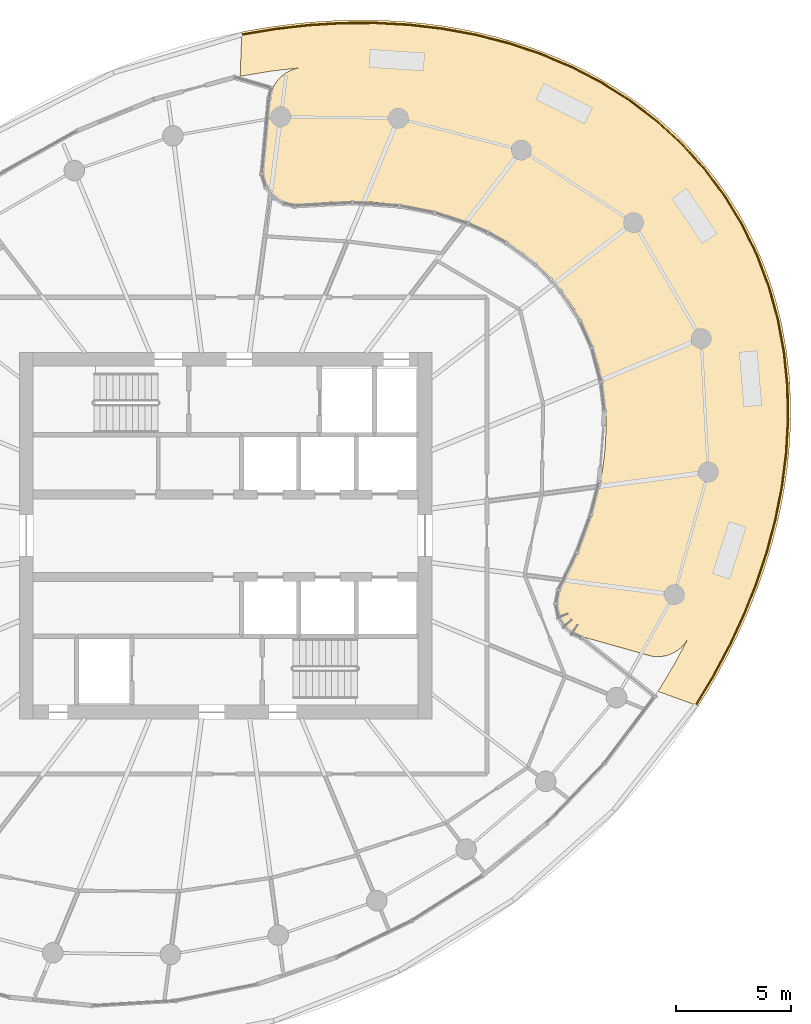
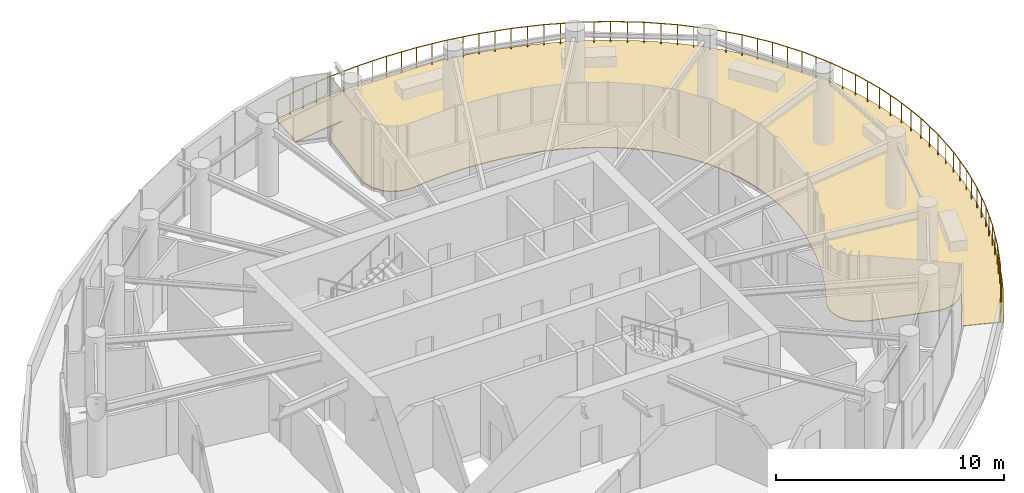
# One storey, part 18 of 19: 1 covering, 1 railing.
"""IFC4 building model written with IfcOpenShell, lengths in metres."""

from ifc_helpers import new_model, si_unit, direction, frame, origin, origin_2d, place, context, subcontext, project, spatial, line, indexed_curve, circle, outline, extrude, material, layer, layer_set, type_object, element, save


model = new_model("IFC4")

# Units and contexts
model_context = context("Model", 3, precision=1e-05, world=origin(), true_north=direction((0.0, 1.0)))
body_context = subcontext(model_context, "Body", "Model", "MODEL_VIEW")
ifc_project = project(units=[si_unit("LENGTHUNIT", "METRE"), si_unit("AREAUNIT", "SQUARE_METRE"), si_unit("VOLUMEUNIT", "CUBIC_METRE"), si_unit("PLANEANGLEUNIT", "RADIAN"), si_unit("MASSUNIT", "GRAM", prefix="KILO")], contexts=[model_context])

# Site, building, storey
site_placement = place(None, origin())
site = spatial("IfcSite", under=ifc_project, at=site_placement, CompositionType="ELEMENT")
building_placement = place(site_placement, origin())
building = spatial("IfcBuilding", under=site, at=building_placement, Name="Spindrift Exchange Tower", CompositionType="ELEMENT")
storey_placement = place(building_placement, frame((0.0, 0.0, 183.800048828125)))
storey = spatial("IfcBuildingStorey", under=building, at=storey_placement, Name="L44", CompositionType="ELEMENT", Elevation=183.800048828125)

# Covering
ifc_material_1 = material(Name="Hardwood timber decking on pedestals", Category="wood")
ifc_layer = layer(ifc_material_1, 0.0400390625)
ifc_layer_set = layer_set([ifc_layer], Name="TERRACE DECKING 40")
covering_type = type_object("IfcCoveringType", Name="TERRACE DECKING 40", PredefinedType="FLOORING", material=ifc_layer_set)
covering_placement = place(storey_placement, origin())
element("IfcCovering", 1, at=covering_placement, inside=storey, type_object=covering_type, Name="L44 Terrace Decking 1", PredefinedType="FLOORING", context=body_context, shape_type="SweptSolid", body=[
    extrude(outline(indexed_curve([(55.265625, 68.4130859375), (54.0009765625, 68.26953125), (52.697265625, 68.0537109375), (52.6640625, 68.0595703125), (52.638671875, 68.1044921875), (52.703125, 69.9658203125), (52.732421875, 69.9892578125), (52.8388671875, 70.009765625), (54.0517578125, 70.212890625), (54.8662109375, 70.3193359375), (55.6826171875, 70.40234375), (56.5009765625, 70.4599609375), (57.3212890625, 70.4921875), (58.1416015625, 70.4990234375), (58.9619140625, 70.478515625), (59.78125, 70.4306640625), (60.59765625, 70.35546875), (61.412109375, 70.251953125), (62.220703125, 70.1181640625), (63.025390625, 69.955078125), (63.822265625, 69.7607421875), (65.001953125, 69.4111328125), (65.7763671875, 69.1376953125), (66.5380859375, 68.83203125), (67.28515625, 68.494140625), (68.015625, 68.123046875), (68.73046875, 67.7177734375), (69.423828125, 67.2802734375), (70.0966796875, 66.810546875), (70.423828125, 66.5625), (71.060546875, 66.04296875), (71.66796875, 65.494140625), (71.962890625, 65.2060546875), (72.52734375, 64.611328125), (73.0595703125, 63.9892578125), (73.3154296875, 63.6650390625), (73.7978515625, 63.0029296875), (74.244140625, 62.3154296875), (74.455078125, 61.9619140625), (74.8466796875, 61.2421875), (75.029296875, 60.873046875), (75.3642578125, 60.1240234375), (75.517578125, 59.7431640625), (75.7939453125, 58.970703125), (76.0322265625, 58.1875), (76.2314453125, 57.3916015625), (76.4580078125, 56.181640625), (76.6015625, 54.9580078125), (76.6611328125, 53.7294921875), (76.6572265625, 52.91015625), (76.619140625, 52.0888671875), (76.5, 50.8642578125), (76.380859375, 50.0537109375), (76.2314453125, 49.2451171875), (76.052734375, 48.4453125), (75.8447265625, 47.65234375), (75.6103515625, 46.865234375), (75.3486328125, 46.087890625), (74.9091796875, 44.9375), (74.5859375, 44.18359375), (74.2392578125, 43.439453125), (73.87109375, 42.70703125), (73.4814453125, 41.984375), (73.0703125, 41.2744140625), (72.6376953125, 40.58203125), (72.5947265625, 40.578125), (70.923828125, 41.1806640625), (70.890625, 41.220703125), (70.8984375, 41.25390625), (71.5791015625, 42.3857421875), (72.1787109375, 43.5078125), (72.0400390625, 43.29296875), (71.8388671875, 43.08203125), (71.716796875, 42.986328125), (71.46484375, 42.84375), (71.3193359375, 42.7880859375), (71.03515625, 42.7255859375), (70.7412109375, 42.7197265625), (70.58984375, 42.7392578125), (67.55859375, 43.58984375), (67.283203125, 43.6982421875), (67.03125, 43.8603515625), (66.8173828125, 44.068359375), (66.6494140625, 44.3134765625), (66.5322265625, 44.5869140625), (66.47265625, 44.8759765625), (66.4638671875, 45.0302734375), (66.4912109375, 45.3212890625), (66.529296875, 45.47265625), (66.640625, 45.7431640625), (67.140625, 46.7294921875), (67.486328125, 47.5146484375), (67.697265625, 48.056640625), (67.8876953125, 48.5986328125), (68.14453125, 49.4580078125), (68.3515625, 50.34375), (68.4580078125, 50.9482421875), (68.5390625, 51.580078125), (68.5869140625, 52.201171875), (68.59765625, 53.12109375), (68.5595703125, 53.7724609375), (68.4365234375, 54.689453125), (68.3037109375, 55.3076171875), (68.123046875, 55.94140625), (67.9072265625, 56.5380859375), (67.6611328125, 57.0927734375), (67.5185546875, 57.375), (67.2021484375, 57.9248046875), (66.8310546875, 58.4716796875), (66.638671875, 58.7236328125), (66.2451171875, 59.185546875), (65.7822265625, 59.65625), (65.5478515625, 59.8701171875), (65.0791015625, 60.2568359375), (64.5439453125, 60.640625), (63.751953125, 61.1181640625), (63.16796875, 61.4111328125), (62.31640625, 61.7646484375), (61.7060546875, 61.970703125), (60.826171875, 62.20703125), (60.2080078125, 62.3349609375), (59.3232421875, 62.4677734375), (58.416015625, 62.5478515625), (57.8408203125, 62.5703125), (57.259765625, 62.5732421875), (56.40234375, 62.5419921875), (55.2998046875, 62.44140625), (55.0078125, 62.4375), (54.853515625, 62.4580078125), (54.5703125, 62.541015625), (54.310546875, 62.6767578125), (54.1845703125, 62.7685546875), (53.974609375, 62.9765625), (53.80859375, 63.2236328125), (53.6943359375, 63.498046875), (53.63671875, 63.79296875), (53.6376953125, 64.087890625), (53.9638671875, 67.2197265625), (54.0498046875, 67.5009765625), (54.1162109375, 67.638671875), (54.279296875, 67.8798828125), (54.384765625, 67.994140625), (54.609375, 68.17578125), (54.7431640625, 68.2548828125), (55.013671875, 68.36328125)], segments=[line(1, 2, 3, 4, 5, 6, 7, 8, 9, 10, 11, 12, 13, 14, 15, 16, 17, 18, 19, 20, 21, 22, 23, 24, 25, 26, 27, 28, 29, 30, 31, 32, 33, 34, 35, 36, 37, 38, 39, 40, 41, 42, 43, 44, 45, 46, 47, 48, 49, 50, 51, 52, 53, 54, 55, 56, 57, 58, 59, 60, 61, 62, 63, 64, 65, 66, 67, 68, 69, 70, 71, 72, 73, 74, 75, 76, 77, 78, 79, 80, 81, 82, 83, 84, 85, 86, 87, 88, 89, 90, 91, 92, 93, 94, 95, 96, 97, 98, 99, 100, 101, 102, 103, 104, 105, 106, 107, 108, 109, 110, 111, 112, 113, 114, 115, 116, 117, 118, 119, 120, 121, 122, 123, 124, 125, 126, 127, 128, 129, 130, 131, 132, 133, 134, 135, 136, 137, 138, 139, 140, 141, 142, 143, 144, 145, 1)], self_intersect=False)), origin(), (0.0, 0.0, 1.0), 0.0400390625),
])

# Railing
ifc_material_2 = material(Name="Bronze anodised aluminium balustrade", Category="aluminium")
railing_type = type_object("IfcRailingType", Name="TERRACE GUARDRAIL 1150", PredefinedType="GUARDRAIL", material=ifc_material_2)
railing_placement = place(storey_placement, frame((52.70947265625, 69.8623046875, 0.0)))
element("IfcRailing", 2, at=railing_placement, inside=storey, type_object=railing_type, Name="L44 Sky Garden Guardrail 1", PredefinedType="GUARDRAIL", context=body_context, shape_type="SweptSolid", body=[
    extrude(circle(Radius=0.02392578125, at=origin_2d()), frame((0.0, 0.0, 1.1259765625), z_axis=(0.986078164576, 0.166282450506, 0.0), x_axis=(-0.166282450506, 0.986078164576, 0.0)), (0.0, 0.0, 1.0), 1.47119140625),
    extrude(circle(Radius=0.02392578125, at=origin_2d()), frame((1.45068359375, 0.24462890625, 1.1259765625), z_axis=(0.993405301933, 0.114655597734, 0.0), x_axis=(-0.114655597734, 0.993405301933, 0.0)), (0.0, 0.0, 1.0), 1.471435546875),
    extrude(circle(Radius=0.02392578125, at=origin_2d()), frame((2.912353515625, 0.413330078125, 1.1259765625), z_axis=(0.998163939023, 0.060570214089, 0.0), x_axis=(-0.060570214089, 0.998163939023, 0.0)), (0.0, 0.0, 1.0), 1.47119140625),
    extrude(circle(Radius=0.02392578125, at=origin_2d()), frame((4.380859375, 0.50244140625, 1.1259765625), z_axis=(0.999989208628, 0.004645710609, 0.0), x_axis=(-0.004645710609, 0.999989208628, 0.0)), (0.0, 0.0, 1.0), 1.471435546875),
    extrude(circle(Radius=0.02392578125, at=origin_2d()), frame((5.852294921875, 0.50927734375, 1.1259765625), z_axis=(0.998453708505, -0.055589495155, 0.0), x_axis=(0.055589495155, 0.998453708505, 0.0)), (0.0, 0.0, 1.0), 1.47119140625),
    extrude(circle(Radius=0.02392578125, at=origin_2d()), frame((7.3212890625, 0.427490234375, 1.1259765625), z_axis=(0.993152869533, -0.116821991671, 0.0), x_axis=(0.116821991671, 0.993152869533, 0.0)), (0.0, 0.0, 1.0), 1.47119140625),
    extrude(circle(Radius=0.02392578125, at=origin_2d()), frame((8.782470703125, 0.255615234375, 1.1259765625), z_axis=(0.983353454481, -0.181703009223, 0.0), x_axis=(0.181703009223, 0.983353454481, 0.0)), (0.0, 0.0, 1.0), 1.47119140625),
    extrude(circle(Radius=0.02392578125, at=origin_2d()), frame((10.229248046875, -0.01171875, 1.1259765625), z_axis=(0.968429996088, -0.249285664803, 0.0), x_axis=(0.249285664803, 0.968429996088, 0.0)), (0.0, 0.0, 1.0), 1.470947265625),
    extrude(circle(Radius=0.02392578125, at=origin_2d()), frame((11.65380859375, -0.37841796875, 1.1259765625), z_axis=(0.948100855262, -0.317969759965, 0.0), x_axis=(0.317969759965, 0.948100855262, 0.0)), (0.0, 0.0, 1.0), 1.47119140625),
    extrude(circle(Radius=0.02392578125, at=origin_2d()), frame((13.048583984375, -0.84619140625, 1.1259765625), z_axis=(0.920682998976, -0.390311177648, 0.0), x_axis=(0.390311177648, 0.920682998976, 0.0)), (0.0, 0.0, 1.0), 1.47119140625),
    extrude(circle(Radius=0.02392578125, at=origin_2d()), frame((14.403076171875, -1.42041015625, 1.1259765625), z_axis=(0.886697264925, -0.462350473532, 0.0), x_axis=(0.462350473532, 0.886697264925, 0.0)), (0.0, 0.0, 1.0), 1.47119140625),
    extrude(circle(Radius=0.02392578125, at=origin_2d()), frame((15.70751953125, -2.1005859375, 1.1259765625), z_axis=(0.844869091455, -0.534973100542, 0.0), x_axis=(0.534973100542, 0.844869091455, 0.0)), (0.0, 0.0, 1.0), 1.470947265625),
    extrude(circle(Radius=0.02392578125, at=origin_2d()), frame((16.9501953125, -2.887451171875, 1.1259765625), z_axis=(0.794348410814, -0.607462428663, 0.0), x_axis=(0.607462428663, 0.794348410814, 0.0)), (0.0, 0.0, 1.0), 1.470947265625),
    extrude(circle(Radius=0.02392578125, at=origin_2d()), frame((18.11865234375, -3.781005859375, 1.1259765625), z_axis=(0.736906075244, -0.675995145151, 0.0), x_axis=(0.675995145151, 0.736906075244, 0.0)), (0.0, 0.0, 1.0), 1.470947265625),
    extrude(circle(Radius=0.02392578125, at=origin_2d()), frame((19.20263671875, -4.775390625, 1.1259765625), z_axis=(0.670430736799, -0.741972120201, 0.0), x_axis=(0.741972120201, 0.670430736799, 0.0)), (0.0, 0.0, 1.0), 1.470703125),
    extrude(circle(Radius=0.02392578125, at=origin_2d()), frame((20.188720703125, -5.86669921875, 1.1259765625), z_axis=(0.597820264376, -0.801630171277, 0.0), x_axis=(0.801630171277, 0.597820264376, 0.0)), (0.0, 0.0, 1.0), 1.470947265625),
    extrude(circle(Radius=0.02392578125, at=origin_2d()), frame((21.068115234375, -7.0458984375, 1.1259765625), z_axis=(0.52034180509, -0.853958082037, 0.0), x_axis=(0.853958082037, 0.52034180509, 0.0)), (0.0, 0.0, 1.0), 1.470947265625),
    extrude(circle(Radius=0.02392578125, at=origin_2d()), frame((21.83349609375, -8.302001953125, 1.1259765625), z_axis=(0.436359023886, -0.899772639211, 0.0), x_axis=(0.899772639211, 0.436359023886, 0.0)), (0.0, 0.0, 1.0), 1.470947265625),
    extrude(circle(Radius=0.02392578125, at=origin_2d()), frame((22.475341796875, -9.62548828125, 1.1259765625), z_axis=(0.352487077523, -0.935816680862, 0.0), x_axis=(0.935816680862, 0.352487077523, 0.0)), (0.0, 0.0, 1.0), 1.47119140625),
    extrude(circle(Radius=0.02392578125, at=origin_2d()), frame((22.993896484375, -11.002197265625, 1.1259765625), z_axis=(0.266710702851, -0.963776634384, 0.0), x_axis=(0.963776634384, 0.266710702851, 0.0)), (0.0, 0.0, 1.0), 1.470947265625),
    extrude(circle(Radius=0.02392578125, at=origin_2d()), frame((23.38623046875, -12.419921875, 1.1259765625), z_axis=(0.181922829305, -0.98331281095, 0.0), x_axis=(0.98331281095, 0.181922829305, 0.0)), (0.0, 0.0, 1.0), 1.470947265625),
    extrude(circle(Radius=0.02392578125, at=origin_2d()), frame((23.65380859375, -13.8662109375, 1.1259765625), z_axis=(0.100407435272, -0.994946404055, 0.0), x_axis=(0.994946404055, 0.100407435272, 0.0)), (0.0, 0.0, 1.0), 1.470947265625),
    extrude(circle(Radius=0.02392578125, at=origin_2d()), frame((23.801513671875, -15.329833984375, 1.1259765625), z_axis=(0.019581307154, -0.999808267824, 0.0), x_axis=(0.999808267824, 0.019581307154, 0.0)), (0.0, 0.0, 1.0), 1.47119140625),
    extrude(circle(Radius=0.02392578125, at=origin_2d()), frame((23.830322265625, -16.80078125, 1.1259765625), z_axis=(-0.055258634, -0.998472074406, 0.0), x_axis=(0.998472074406, -0.055258634, 0.0)), (0.0, 0.0, 1.0), 1.47119140625),
    extrude(circle(Radius=0.02392578125, at=origin_2d()), frame((23.7490234375, -18.269775390625, 1.1259765625), z_axis=(-0.126628412291, -0.991950223147, 0.0), x_axis=(0.991950223147, -0.126628412291, 0.0)), (0.0, 0.0, 1.0), 1.47119140625),
    extrude(circle(Radius=0.02392578125, at=origin_2d()), frame((23.562744140625, -19.72900390625, 1.1259765625), z_axis=(-0.194488320967, -0.980904833818, 0.0), x_axis=(0.980904833818, -0.194488320967, 0.0)), (0.0, 0.0, 1.0), 1.47119140625),
    extrude(circle(Radius=0.02392578125, at=origin_2d()), frame((23.276611328125, -21.172119140625, 1.1259765625), z_axis=(-0.25672261184, -0.966485126926, 0.0), x_axis=(0.966485126926, -0.25672261184, 0.0)), (0.0, 0.0, 1.0), 1.47119140625),
    extrude(circle(Radius=0.02392578125, at=origin_2d()), frame((22.89892578125, -22.593994140625, 1.1259765625), z_axis=(-0.316626009861, -0.948550457213, 0.0), x_axis=(0.948550457213, -0.316626009861, 0.0)), (0.0, 0.0, 1.0), 1.47119140625),
    extrude(circle(Radius=0.02392578125, at=origin_2d()), frame((22.43310546875, -23.989501953125, 1.1259765625), z_axis=(-0.371333461162, -0.928499574917, 0.0), x_axis=(0.928499574917, -0.371333461162, 0.0)), (0.0, 0.0, 1.0), 1.471435546875),
    extrude(circle(Radius=0.02392578125, at=origin_2d()), frame((21.88671875, -25.355712890625, 1.1259765625), z_axis=(-0.422622019502, -0.906306034754, 0.0), x_axis=(0.906306034754, -0.422622019502, 0.0)), (0.0, 0.0, 1.0), 1.471435546875),
    extrude(circle(Radius=0.02392578125, at=origin_2d()), frame((21.264892578125, -26.689208984375, 1.1259765625), z_axis=(-0.471079066592, -0.882090989082, 0.0), x_axis=(0.882090989082, -0.471079066592, 0.0)), (0.0, 0.0, 1.0), 1.471435546875),
    extrude(circle(Radius=0.02392578125, at=origin_2d()), frame((20.57177734375, -27.987060546875, 1.1259765625), z_axis=(-0.515544633738, -0.856862725659, 0.0), x_axis=(0.856862725659, -0.515544633738, 0.0)), (0.0, 0.0, 1.0), 1.471435546875),
    extrude(circle(Radius=0.02099609375, at=origin_2d()), origin(), (0.0, 0.0, 1.0), 1.101806640625),
    extrude(circle(Radius=0.02099609375, at=origin_2d()), frame((0.725341796875, 0.122314453125, 0.0)), (0.0, 0.0, 1.0), 1.101806640625),
    extrude(circle(Radius=0.02099609375, at=origin_2d()), frame((1.45068359375, 0.24462890625, 0.0)), (0.0, 0.0, 1.0), 1.101806640625),
    extrude(circle(Radius=0.02099609375, at=origin_2d()), frame((2.181640625, 0.3291015625, 0.0)), (0.0, 0.0, 1.0), 1.101806640625),
    extrude(circle(Radius=0.02099609375, at=origin_2d()), frame((2.912353515625, 0.413330078125, 0.0)), (0.0, 0.0, 1.0), 1.101806640625),
    extrude(circle(Radius=0.02099609375, at=origin_2d()), frame((3.646484375, 0.4580078125, 0.0)), (0.0, 0.0, 1.0), 1.101806640625),
    extrude(circle(Radius=0.02099609375, at=origin_2d()), frame((4.380859375, 0.50244140625, 0.0)), (0.0, 0.0, 1.0), 1.101806640625),
    extrude(circle(Radius=0.02099609375, at=origin_2d()), frame((5.11669921875, 0.505859375, 0.0)), (0.0, 0.0, 1.0), 1.101806640625),
    extrude(circle(Radius=0.02099609375, at=origin_2d()), frame((5.852294921875, 0.50927734375, 0.0)), (0.0, 0.0, 1.0), 1.101806640625),
    extrude(circle(Radius=0.02099609375, at=origin_2d()), frame((6.5869140625, 0.46826171875, 0.0)), (0.0, 0.0, 1.0), 1.101806640625),
    extrude(circle(Radius=0.02099609375, at=origin_2d()), frame((7.3212890625, 0.427490234375, 0.0)), (0.0, 0.0, 1.0), 1.101806640625),
    extrude(circle(Radius=0.02099609375, at=origin_2d()), frame((8.0517578125, 0.341552734375, 0.0)), (0.0, 0.0, 1.0), 1.101806640625),
    extrude(circle(Radius=0.02099609375, at=origin_2d()), frame((8.782470703125, 0.255615234375, 0.0)), (0.0, 0.0, 1.0), 1.101806640625),
    extrude(circle(Radius=0.02099609375, at=origin_2d()), frame((9.505859375, 0.1220703125, 0.0)), (0.0, 0.0, 1.0), 1.101806640625),
    extrude(circle(Radius=0.02099609375, at=origin_2d()), frame((10.229248046875, -0.01171875, 0.0)), (0.0, 0.0, 1.0), 1.101806640625),
    extrude(circle(Radius=0.02099609375, at=origin_2d()), frame((10.94140625, -0.195068359375, 0.0)), (0.0, 0.0, 1.0), 1.101806640625),
    extrude(circle(Radius=0.02099609375, at=origin_2d()), frame((11.65380859375, -0.37841796875, 0.0)), (0.0, 0.0, 1.0), 1.101806640625),
    extrude(circle(Radius=0.02099609375, at=origin_2d()), frame((12.35107421875, -0.6123046875, 0.0)), (0.0, 0.0, 1.0), 1.101806640625),
    extrude(circle(Radius=0.02099609375, at=origin_2d()), frame((13.048583984375, -0.84619140625, 0.0)), (0.0, 0.0, 1.0), 1.101806640625),
    extrude(circle(Radius=0.02099609375, at=origin_2d()), frame((13.725830078125, -1.13330078125, 0.0)), (0.0, 0.0, 1.0), 1.101806640625),
    extrude(circle(Radius=0.02099609375, at=origin_2d()), frame((14.403076171875, -1.42041015625, 0.0)), (0.0, 0.0, 1.0), 1.101806640625),
    extrude(circle(Radius=0.02099609375, at=origin_2d()), frame((15.05517578125, -1.760498046875, 0.0)), (0.0, 0.0, 1.0), 1.101806640625),
    extrude(circle(Radius=0.02099609375, at=origin_2d()), frame((15.70751953125, -2.1005859375, 0.0)), (0.0, 0.0, 1.0), 1.101806640625),
    extrude(circle(Radius=0.02099609375, at=origin_2d()), frame((16.328857421875, -2.494140625, 0.0)), (0.0, 0.0, 1.0), 1.101806640625),
    extrude(circle(Radius=0.02099609375, at=origin_2d()), frame((16.9501953125, -2.887451171875, 0.0)), (0.0, 0.0, 1.0), 1.101806640625),
    extrude(circle(Radius=0.02099609375, at=origin_2d()), frame((17.534423828125, -3.334228515625, 0.0)), (0.0, 0.0, 1.0), 1.101806640625),
    extrude(circle(Radius=0.02099609375, at=origin_2d()), frame((18.11865234375, -3.781005859375, 0.0)), (0.0, 0.0, 1.0), 1.101806640625),
    extrude(circle(Radius=0.02099609375, at=origin_2d()), frame((18.66064453125, -4.2783203125, 0.0)), (0.0, 0.0, 1.0), 1.101806640625),
    extrude(circle(Radius=0.02099609375, at=origin_2d()), frame((19.20263671875, -4.775390625, 0.0)), (0.0, 0.0, 1.0), 1.101806640625),
    extrude(circle(Radius=0.02099609375, at=origin_2d()), frame((19.69580078125, -5.321044921875, 0.0)), (0.0, 0.0, 1.0), 1.101806640625),
    extrude(circle(Radius=0.02099609375, at=origin_2d()), frame((20.188720703125, -5.86669921875, 0.0)), (0.0, 0.0, 1.0), 1.101806640625),
    extrude(circle(Radius=0.02099609375, at=origin_2d()), frame((20.62841796875, -6.456298828125, 0.0)), (0.0, 0.0, 1.0), 1.101806640625),
    extrude(circle(Radius=0.02099609375, at=origin_2d()), frame((21.068115234375, -7.0458984375, 0.0)), (0.0, 0.0, 1.0), 1.101806640625),
    extrude(circle(Radius=0.02099609375, at=origin_2d()), frame((21.45068359375, -7.673828125, 0.0)), (0.0, 0.0, 1.0), 1.101806640625),
    extrude(circle(Radius=0.02099609375, at=origin_2d()), frame((21.83349609375, -8.302001953125, 0.0)), (0.0, 0.0, 1.0), 1.101806640625),
    extrude(circle(Radius=0.02099609375, at=origin_2d()), frame((22.154296875, -8.9638671875, 0.0)), (0.0, 0.0, 1.0), 1.101806640625),
    extrude(circle(Radius=0.02099609375, at=origin_2d()), frame((22.475341796875, -9.62548828125, 0.0)), (0.0, 0.0, 1.0), 1.101806640625),
    extrude(circle(Radius=0.02099609375, at=origin_2d()), frame((22.734619140625, -10.31396484375, 0.0)), (0.0, 0.0, 1.0), 1.101806640625),
    extrude(circle(Radius=0.02099609375, at=origin_2d()), frame((22.993896484375, -11.002197265625, 0.0)), (0.0, 0.0, 1.0), 1.101806640625),
    extrude(circle(Radius=0.02099609375, at=origin_2d()), frame((23.18994140625, -11.7109375, 0.0)), (0.0, 0.0, 1.0), 1.101806640625),
    extrude(circle(Radius=0.02099609375, at=origin_2d()), frame((23.38623046875, -12.419921875, 0.0)), (0.0, 0.0, 1.0), 1.101806640625),
    extrude(circle(Radius=0.02099609375, at=origin_2d()), frame((23.52001953125, -13.14306640625, 0.0)), (0.0, 0.0, 1.0), 1.101806640625),
    extrude(circle(Radius=0.02099609375, at=origin_2d()), frame((23.65380859375, -13.8662109375, 0.0)), (0.0, 0.0, 1.0), 1.101806640625),
    extrude(circle(Radius=0.02099609375, at=origin_2d()), frame((23.7275390625, -14.59814453125, 0.0)), (0.0, 0.0, 1.0), 1.101806640625),
    extrude(circle(Radius=0.02099609375, at=origin_2d()), frame((23.801513671875, -15.329833984375, 0.0)), (0.0, 0.0, 1.0), 1.101806640625),
    extrude(circle(Radius=0.02099609375, at=origin_2d()), frame((23.81591796875, -16.0654296875, 0.0)), (0.0, 0.0, 1.0), 1.101806640625),
    extrude(circle(Radius=0.02099609375, at=origin_2d()), frame((23.830322265625, -16.80078125, 0.0)), (0.0, 0.0, 1.0), 1.101806640625),
    extrude(circle(Radius=0.02099609375, at=origin_2d()), frame((23.78955078125, -17.53515625, 0.0)), (0.0, 0.0, 1.0), 1.101806640625),
    extrude(circle(Radius=0.02099609375, at=origin_2d()), frame((23.7490234375, -18.269775390625, 0.0)), (0.0, 0.0, 1.0), 1.101806640625),
    extrude(circle(Radius=0.02099609375, at=origin_2d()), frame((23.65576171875, -18.99951171875, 0.0)), (0.0, 0.0, 1.0), 1.101806640625),
    extrude(circle(Radius=0.02099609375, at=origin_2d()), frame((23.562744140625, -19.72900390625, 0.0)), (0.0, 0.0, 1.0), 1.101806640625),
    extrude(circle(Radius=0.02099609375, at=origin_2d()), frame((23.419677734375, -20.45068359375, 0.0)), (0.0, 0.0, 1.0), 1.101806640625),
    extrude(circle(Radius=0.02099609375, at=origin_2d()), frame((23.276611328125, -21.172119140625, 0.0)), (0.0, 0.0, 1.0), 1.101806640625),
    extrude(circle(Radius=0.02099609375, at=origin_2d()), frame((23.087890625, -21.883056640625, 0.0)), (0.0, 0.0, 1.0), 1.101806640625),
    extrude(circle(Radius=0.02099609375, at=origin_2d()), frame((22.89892578125, -22.593994140625, 0.0)), (0.0, 0.0, 1.0), 1.101806640625),
    extrude(circle(Radius=0.02099609375, at=origin_2d()), frame((22.666015625, -23.291748046875, 0.0)), (0.0, 0.0, 1.0), 1.101806640625),
    extrude(circle(Radius=0.02099609375, at=origin_2d()), frame((22.43310546875, -23.989501953125, 0.0)), (0.0, 0.0, 1.0), 1.101806640625),
    extrude(circle(Radius=0.02099609375, at=origin_2d()), frame((22.159912109375, -24.672607421875, 0.0)), (0.0, 0.0, 1.0), 1.101806640625),
    extrude(circle(Radius=0.02099609375, at=origin_2d()), frame((21.88671875, -25.355712890625, 0.0)), (0.0, 0.0, 1.0), 1.101806640625),
    extrude(circle(Radius=0.02099609375, at=origin_2d()), frame((21.57568359375, -26.0224609375, 0.0)), (0.0, 0.0, 1.0), 1.101806640625),
    extrude(circle(Radius=0.02099609375, at=origin_2d()), frame((21.264892578125, -26.689208984375, 0.0)), (0.0, 0.0, 1.0), 1.101806640625),
    extrude(circle(Radius=0.02099609375, at=origin_2d()), frame((20.91845703125, -27.338134765625, 0.0)), (0.0, 0.0, 1.0), 1.101806640625),
    extrude(circle(Radius=0.02099609375, at=origin_2d()), frame((20.57177734375, -27.987060546875, 0.0)), (0.0, 0.0, 1.0), 1.101806640625),
    extrude(circle(Radius=0.02099609375, at=origin_2d()), frame((20.1923828125, -28.617431640625, 0.0)), (0.0, 0.0, 1.0), 1.101806640625),
    extrude(circle(Radius=0.02099609375, at=origin_2d()), frame((19.813232421875, -29.247802734375, 0.0)), (0.0, 0.0, 1.0), 1.101806640625),
])

save(model, "model.ifc")
